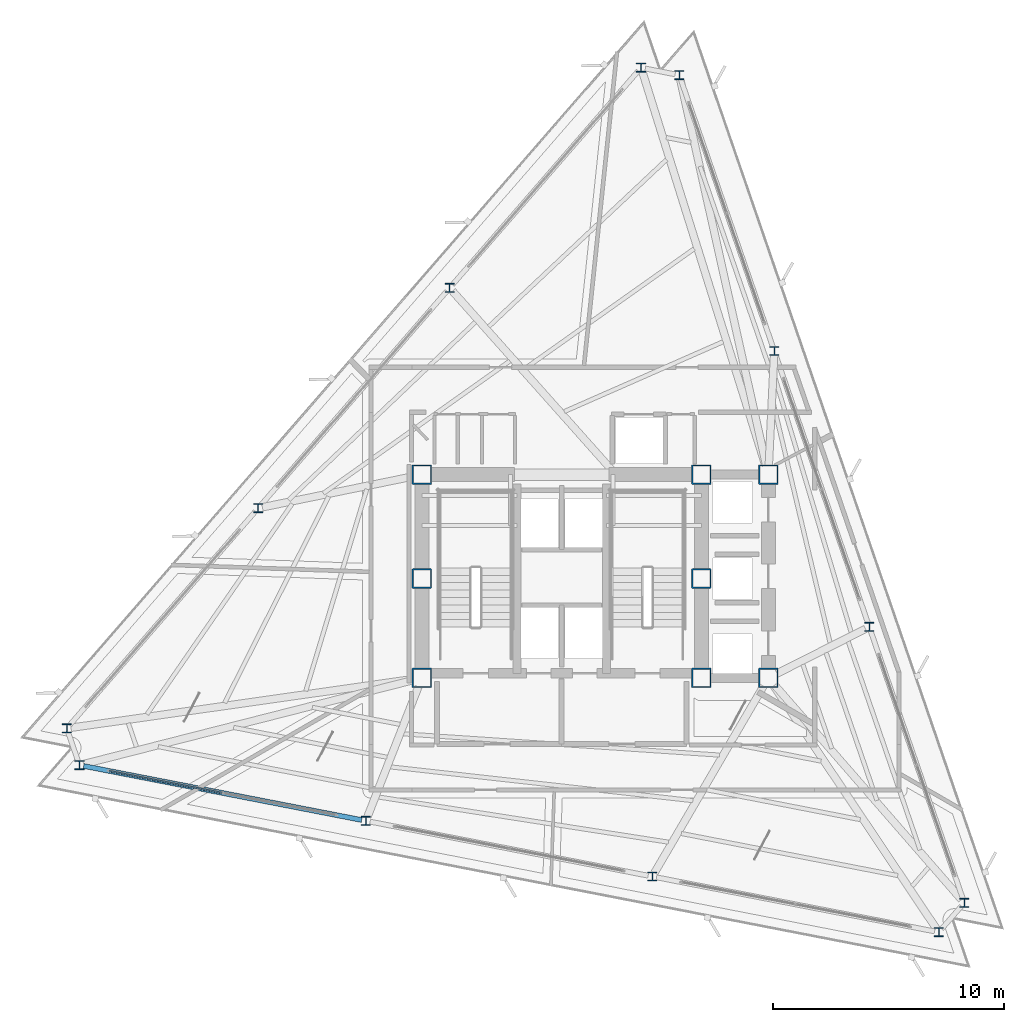
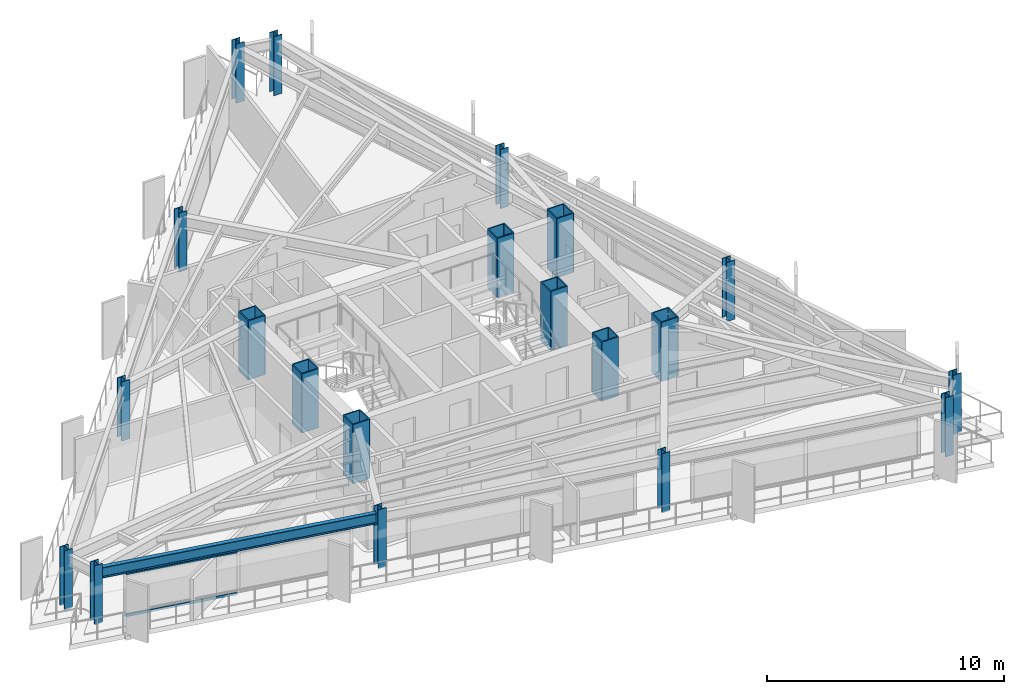
# One storey, part 1 of 13: 20 columns, 2 members, 1 beam, 1 element without a shape of its own.
"""IFC4 building model written with IfcOpenShell, lengths in metres."""

import ifcopenshell
import ifcopenshell.guid

model = None  # the IFC model being written
_history = None  # IfcOwnerHistory: only IFC2X3 demands one
_inside = {}  # id of a spatial element -> (the spatial element, [elements in it])
_under = {}  # id of a project, library or spatial element -> (it, [spatial elements below it])
_declared = {}  # id of a project -> (the project, [libraries it declares])
_typed = {}  # id of a type object -> (the type object, [elements of that type])
_made_of = {}  # id of a material, layer set ... -> (it, [elements and type objects made of it])


def new_model(schema):
    """Start an empty IFC model of exactly this schema.

    Asked for "IFC4X3", IfcOpenShell would pick the latest addendum, in which some entities
    have other attributes; the version numbers below select the first issue.
    IFC2X3 requires an IfcOwnerHistory on every rooted entity: one is made here for all.
    """
    global model, _history
    if schema == "IFC4X3":
        model = ifcopenshell.file(schema_version=(4, 3, 0, 0))
    else:
        model = ifcopenshell.file(schema=schema)
    _inside.clear()
    _under.clear()
    _declared.clear()
    _typed.clear()
    _made_of.clear()
    _history = None
    if model.schema == "IFC2X3":
        org = make("IfcOrganization", Name="unknown")
        user = make(
            "IfcPersonAndOrganization",
            ThePerson=make("IfcPerson", FamilyName="unknown"),
            TheOrganization=org,
        )
        app = make(
            "IfcApplication",
            ApplicationDeveloper=org,
            Version="unknown",
            ApplicationFullName="unknown",
            ApplicationIdentifier="unknown",
        )
        _history = make(
            "IfcOwnerHistory",
            OwningUser=user,
            OwningApplication=app,
            ChangeAction="ADDED",
            CreationDate=0,
        )
    return model


def make(cls, **values):
    """One entity of the class cls with the attributes given. An attribute that is None is left unset."""
    return model.create_entity(
        cls, **{name: value for name, value in values.items() if value is not None}
    )


def rooted(cls, **values):
    """An entity with a GlobalId (a new one), such as an element, a storey or a relation."""
    return make(cls, GlobalId=ifcopenshell.guid.new(), OwnerHistory=_history, **values)


def si_unit(unit_type, name, prefix=None):
    """IfcSIUnit, for example si_unit("LENGTHUNIT", "METRE", prefix="MILLI")."""
    return make("IfcSIUnit", UnitType=unit_type, Prefix=prefix, Name=name)


def assignment(units):
    """IfcUnitAssignment: the units of a project."""
    return None if units is None else make("IfcUnitAssignment", Units=units)


def point(xyz):
    """IfcCartesianPoint."""
    return None if xyz is None else make("IfcCartesianPoint", Coordinates=xyz)


def direction(xyz):
    """IfcDirection."""
    return None if xyz is None else make("IfcDirection", DirectionRatios=xyz)


def frame(location, z_axis=None, x_axis=None):
    """IfcAxis2Placement3D, a coordinate frame: its origin and axes. An axis left out is left unset."""
    return make(
        "IfcAxis2Placement3D",
        Location=point(location),
        Axis=direction(z_axis),
        RefDirection=direction(x_axis),
    )


def frame_2d(location, x_axis=None):
    """IfcAxis2Placement2D, a coordinate frame in the plane: its origin and x axis."""
    return make(
        "IfcAxis2Placement2D", Location=point(location), RefDirection=direction(x_axis)
    )


def origin():
    """The frame at (0, 0, 0) with its axes left unset."""
    return frame((0.0, 0.0, 0.0))


def origin_2d():
    """The frame at (0, 0) in the plane with its x axis left unset."""
    return frame_2d((0.0, 0.0))


def place(relative_to, where):
    """IfcLocalPlacement: puts the frame where relative to a parent placement (None: the world)."""
    return make(
        "IfcLocalPlacement", PlacementRelTo=relative_to, RelativePlacement=where
    )


def context(
    kind, dimensions, precision=None, world=None, true_north=None, identifier=None
):
    """IfcGeometricRepresentationContext, for example the 3D "Model" context."""
    return make(
        "IfcGeometricRepresentationContext",
        ContextIdentifier=identifier,
        ContextType=kind,
        CoordinateSpaceDimension=dimensions,
        Precision=precision,
        WorldCoordinateSystem=world,
        TrueNorth=true_north,
    )


def subcontext(parent, identifier, kind, view, scale=None):
    """IfcGeometricRepresentationSubContext, for example "Body" below "Model"."""
    return make(
        "IfcGeometricRepresentationSubContext",
        ContextIdentifier=identifier,
        ContextType=kind,
        ParentContext=parent,
        TargetScale=scale,
        TargetView=view,
    )


def project(units=None, contexts=None):
    """IfcProject with its units and contexts."""
    return rooted(
        "IfcProject",
        Name="project",
        RepresentationContexts=contexts,
        UnitsInContext=assignment(units),
    )


def spatial(cls, under=None, at=None, **own):
    """A site, building, storey or space (cls), placed at a placement, below another one or the project."""
    s = rooted(cls, ObjectPlacement=at, **own)
    if under is not None:
        _under.setdefault(under.id(), (under, []))[1].append(s)
    return s


def profile(cls, at=None, kind="AREA", **sizes):
    """A parametric profile (cls). Its sizes go by their IFC names, for example OverallWidth=200.0."""
    return make(cls, ProfileType=kind, Position=at, **sizes)


def rectangle(**sizes):
    """IfcRectangleProfileDef."""
    return profile("IfcRectangleProfileDef", **sizes)


def hollow_rectangle(**sizes):
    """IfcRectangleHollowProfileDef."""
    return profile("IfcRectangleHollowProfileDef", **sizes)


def i_section(**sizes):
    """IfcIShapeProfileDef."""
    return profile("IfcIShapeProfileDef", **sizes)


def extrude(swept, where, along, depth):
    """IfcExtrudedAreaSolid: the profile swept, set in the frame where, extruded along a direction by depth."""
    return make(
        "IfcExtrudedAreaSolid",
        SweptArea=swept,
        Position=where,
        ExtrudedDirection=direction(along),
        Depth=depth,
    )


def shape(context_of_items, identifier, shape_type, items):
    """IfcShapeRepresentation: the items that make up one representation, for example the "Body"."""
    return make(
        "IfcShapeRepresentation",
        ContextOfItems=context_of_items,
        RepresentationIdentifier=identifier,
        RepresentationType=shape_type,
        Items=items,
    )


def material(Name=None, Category=None):
    """IfcMaterial."""
    return make("IfcMaterial", Name=Name, Category=Category)


def layer(
    of_material, thickness, ventilated=None, Name=None, Category=None, Priority=None
):
    """IfcMaterialLayer: one layer of a wall or slab, of a material (None: an air gap)."""
    return make(
        "IfcMaterialLayer",
        Material=of_material,
        LayerThickness=thickness,
        IsVentilated=ventilated,
        Name=Name,
        Category=Category,
        Priority=Priority,
    )


def layer_set(layers, Name=None):
    """IfcMaterialLayerSet."""
    return make("IfcMaterialLayerSet", MaterialLayers=layers, LayerSetName=Name)


def material_profile(
    of_material, cross_section, Name=None, Category=None, Priority=None
):
    """IfcMaterialProfile: a cross section and its material."""
    return make(
        "IfcMaterialProfile",
        Name=Name,
        Material=of_material,
        Profile=cross_section,
        Priority=Priority,
        Category=Category,
    )


def profile_set(profiles, Name=None, composite=None):
    """IfcMaterialProfileSet."""
    return make(
        "IfcMaterialProfileSet",
        Name=Name,
        MaterialProfiles=profiles,
        CompositeProfile=composite,
    )


def made_of(thing, what):
    """Note that an element or type object is made of a material, layer set ...; save() writes the relation."""
    if what is not None:
        _made_of.setdefault(what.id(), (what, []))[1].append(thing)
    return thing


def type_object(cls, material=None, **own):
    """A type object (cls), such as IfcWallType, which elements share."""
    return made_of(rooted(cls, **own), material)


def element(
    cls,
    number,
    at=None,
    inside=None,
    cuts=None,
    type_object=None,
    material=None,
    context=None,
    identifier="Body",
    shape_type=None,
    held_by="IfcProductDefinitionShape",
    body=None,
    shapes=None,
    **own,
):
    """One element of the class cls, such as IfcWall. Its Tag is "e" and its number.

    at: its placement. inside: the storey or other place that contains it. cuts: it is an
    opening in that element (IfcRelVoidsElement). A single representation is given by context,
    identifier, shape_type and body (its items); several are given by shapes. held_by: the class
    of the entity that holds the representations. save() writes the other relations.
    """
    e = rooted(cls, Tag="e%d" % number, ObjectPlacement=at, **own)
    if body is not None:
        shapes = [shape(context, identifier, shape_type, body)]
    if shapes is not None:
        e.Representation = make(held_by, Representations=shapes)
    if inside is not None:
        _inside.setdefault(inside.id(), (inside, []))[1].append(e)
    if cuts is not None:
        rooted(
            "IfcRelVoidsElement", RelatingBuildingElement=cuts, RelatedOpeningElement=e
        )
    if type_object is not None:
        _typed.setdefault(type_object.id(), (type_object, []))[1].append(e)
    return made_of(e, material)


def aggregate(whole, parts):
    """IfcRelAggregates: a whole, such as a stair, and the parts it consists of."""
    return rooted("IfcRelAggregates", RelatingObject=whole, RelatedObjects=parts)


def save(model, path):
    """Write the relations noted so far, then the file.

    IfcRelAggregates (storeys below a building ...), IfcRelContainedInSpatialStructure (elements
    in a storey), IfcRelDefinesByType, IfcRelAssociatesMaterial and IfcRelDeclares: one each for
    every whole, place, type object, material and project.
    """
    for whole, parts in _under.values():
        aggregate(whole, parts)
    for where, things in _inside.values():
        rooted(
            "IfcRelContainedInSpatialStructure",
            RelatedElements=things,
            RelatingStructure=where,
        )
    for kind, things in _typed.values():
        rooted("IfcRelDefinesByType", RelatedObjects=things, RelatingType=kind)
    for what, things in _made_of.values():
        rooted("IfcRelAssociatesMaterial", RelatedObjects=things, RelatingMaterial=what)
    for by, libraries in _declared.values():
        rooted("IfcRelDeclares", RelatingContext=by, RelatedDefinitions=libraries)
    model.write(path)


model = new_model("IFC4")

# Units and contexts
model_context = context("Model", 3, precision=1e-05, world=origin(), true_north=direction((0.0, 1.0)))
body_context = subcontext(model_context, "Body", "Model", "MODEL_VIEW")
ifc_project = project(units=[si_unit("LENGTHUNIT", "METRE"), si_unit("AREAUNIT", "SQUARE_METRE"), si_unit("VOLUMEUNIT", "CUBIC_METRE"), si_unit("PLANEANGLEUNIT", "RADIAN"), si_unit("MASSUNIT", "GRAM", prefix="KILO")], contexts=[model_context])

# Site, building, storey
site_placement = place(None, origin())
site = spatial("IfcSite", under=ifc_project, at=site_placement, CompositionType="ELEMENT")
building_placement = place(site_placement, origin())
building = spatial("IfcBuilding", under=site, at=building_placement, Name="Rocaltana Carrier Exchange", CompositionType="ELEMENT")
storey_placement = place(building_placement, frame((0.0, 0.0, 165.43994140625)))
storey = spatial("IfcBuildingStorey", under=building, at=storey_placement, Name="L52", CompositionType="ELEMENT", Elevation=165.43994140625)

# Columns
ifc_material_1 = material(Name="Steel S460", Category="steel")
ifc_material_profile_1 = material_profile(ifc_material_1, hollow_rectangle(XDim=0.85009765625, YDim=0.85009765625, WallThickness=0.054931640625, InnerFilletRadius=0.02001953125, OuterFilletRadius=0.0400390625, at=origin_2d()), Name="BOX850X850X55")
ifc_profile_set_1 = profile_set([ifc_material_profile_1], Name="Steel S460")
column_type_1 = type_object("IfcColumnType", Name="Core Mega-Column BOX850", PredefinedType="COLUMN", material=ifc_profile_set_1)
for number, where, z_axis, x_axis, name in (
    (1, (-6.050048828125, 4.5, 0.0), (0.0, 0.0, 1.0), (1.0, 0.0, 0.0), "L52 Core Mega-Column MC1"),
    (2, (6.050048828125, 4.5, 0.0), (0.0, 0.0, 1.0), (1.0, 0.0, 0.0), "L52 Core Mega-Column MC2"),
    (3, (-6.050048828125, 0.0, 0.0), (0.0, 0.0, 1.0), (1.0, 0.0, 0.0), "L52 Core Mega-Column MC3"),
    (4, (6.050048828125, 0.0, 0.0), (0.0, 0.0, 1.0), (1.0, 0.0, 0.0), "L52 Core Mega-Column MC4"),
    (5, (-6.050048828125, -4.300048828125, 0.0), (0.0, 0.0, 1.0), (1.0, 0.0, 0.0), "L52 Core Mega-Column MC5"),
    (6, (6.050048828125, -4.300048828125, 0.0), (0.0, 0.0, 1.0), (1.0, 0.0, 0.0), "L52 Core Mega-Column MC6"),
    (7, (8.949951171875, 4.5, 0.0), (0.0, 0.0, 1.0), (1.0, 0.0, 0.0), "L52 East Core Column EC1"),
    (8, (8.949951171875, -4.300048828125, 0.0), (0.0, 0.0, 1.0), (1.0, 0.0, 0.0), "L52 East Core Column EC2"),
):
    element("IfcColumn", number, at=place(storey_placement, frame(where, z_axis=z_axis, x_axis=x_axis)), inside=storey, type_object=column_type_1, Name=name, PredefinedType="COLUMN", context=body_context, shape_type="SweptSolid", body=[
        extrude(hollow_rectangle(XDim=0.85009765625, YDim=0.85009765625, WallThickness=0.054931640625, InnerFilletRadius=0.02001953125, OuterFilletRadius=0.0400390625, at=origin_2d()), origin(), (0.0, 0.0, 1.0), 3.0400390625),
    ])
ifc_material_2 = material(Name="Steel S355", Category="steel")
ifc_material_profile_2 = material_profile(ifc_material_2, i_section(OverallWidth=0.39794921875, OverallDepth=0.386962890625, WebThickness=0.02099609375, FlangeThickness=0.033203125, FilletRadius=0.01806640625, at=origin_2d()), Name="W14X176")
ifc_profile_set_2 = profile_set([ifc_material_profile_2], Name="Steel S355")
column_type_2 = type_object("IfcColumnType", Name="Perimeter Column W14X176", PredefinedType="COLUMN", material=ifc_profile_set_2)
for number, where, z_axis, x_axis, name in (
    (9, (17.43408203125, -14.038818359375, 0.0), (0.0, 0.0, 1.0), (1.0, 0.0, 0.0), "L52 Perimeter Column TC01"),
    (10, (13.321044921875, -2.09375, 0.0), (0.0, 0.0, 1.0), (1.0, 0.0, 0.0), "L52 Perimeter Column TC02"),
    (11, (9.2080078125, 9.851318359375, 0.0), (0.0, 0.0, 1.0), (1.0, 0.0, 0.0), "L52 Perimeter Column TC03"),
    (12, (5.094970703125, 21.79638671875, 0.0), (0.0, 0.0, 1.0), (1.0, 0.0, 0.0), "L52 Perimeter Column TC04"),
    (13, (3.44091796875, 22.117919921875, 0.0), (0.0, 0.0, 1.0), (1.0, 0.0, 0.0), "L52 Perimeter Column TC05"),
    (14, (-4.84716796875, 12.583251953125, 0.0), (0.0, 0.0, 1.0), (1.0, 0.0, 0.0), "L52 Perimeter Column TC06"),
    (15, (-13.135498046875, 3.048828125, 0.0), (0.0, 0.0, 1.0), (1.0, 0.0, 0.0), "L52 Perimeter Column TC07"),
    (16, (-21.423583984375, -6.485595703125, 0.0), (0.0, 0.0, 1.0), (1.0, 0.0, 0.0), "L52 Perimeter Column TC08"),
    (17, (-20.875, -8.078857421875, 0.0), (0.0, 0.0, 1.0), (1.0, 0.0, 0.0), "L52 Perimeter Column TC09"),
    (18, (-8.473876953125, -10.489501953125, 0.0), (0.0, 0.0, 1.0), (1.0, 0.0, 0.0), "L52 Perimeter Column TC10"),
    (19, (3.927490234375, -12.89990234375, 0.0), (0.0, 0.0, 1.0), (1.0, 0.0, 0.0), "L52 Perimeter Column TC11"),
    (20, (16.32861328125, -15.310546875, 0.0), (0.0, 0.0, 1.0), (1.0, 0.0, 0.0), "L52 Perimeter Column TC12"),
):
    element("IfcColumn", number, at=place(storey_placement, frame(where, z_axis=z_axis, x_axis=x_axis)), inside=storey, type_object=column_type_2, Name=name, PredefinedType="COLUMN", context=body_context, shape_type="SweptSolid", body=[
        extrude(i_section(OverallWidth=0.39794921875, OverallDepth=0.386962890625, WebThickness=0.02099609375, FlangeThickness=0.033203125, FilletRadius=0.01806640625, at=origin_2d()), origin(), (0.0, 0.0, 1.0), 3.0400390625),
    ])

# Curtain wall, members
ifc_material_3 = material(Name="Aluminium 6063-T6", Category="aluminium")
ifc_layer = layer(ifc_material_3, 0.135009765625)
ifc_layer_set = layer_set([ifc_layer], Name="Aluminium 6063-T6")
curtain_wall_type = type_object("IfcCurtainWallType", Name="Upper-Mid Acoustic Curtain Wall CW-04", PredefinedType="NOTDEFINED", material=ifc_layer_set)
curtain_wall_placement = place(storey_placement, origin())
curtain_wall = element("IfcCurtainWall", 21, at=curtain_wall_placement, inside=storey, type_object=curtain_wall_type, Name="L52 CW-04 Run CW-L52-F3S1", PredefinedType="NOTDEFINED")
ifc_material_4 = material(Name="Aluminium 6063-T6", Category="aluminium")
ifc_material_profile_3 = material_profile(ifc_material_4, rectangle(XDim=0.06494140625, YDim=0.135009765625, at=origin_2d()), Name="AL-65X135")
ifc_profile_set_3 = profile_set([ifc_material_profile_3], Name="Aluminium 6063-T6")
member_type = type_object("IfcMemberType", Name="CW-04 Transom AL-65X135", PredefinedType="USERDEFINED", material=ifc_profile_set_3)
member_1_placement = place(storey_placement, frame((-19.584228515625, -8.329833984375, 0.032470703125), z_axis=(0.981633795462, -0.190774976365, 0.0), x_axis=(0.190774976365, 0.981633795462, 0.0)))
member_1 = element("IfcMember", 22, at=member_1_placement, type_object=member_type, Name="CW-04 transom 1.1", ObjectType="TRANSOM", PredefinedType="USERDEFINED", context=body_context, shape_type="SweptSolid", body=[
    extrude(rectangle(XDim=0.06494140625, YDim=0.135009765625, at=origin_2d()), origin(), (0.0, 0.0, 1.0), 4.96923828125),
])
member_2_placement = place(storey_placement, frame((-19.584228515625, -8.329833984375, 2.185546875), z_axis=(0.981633795462, -0.190774976365, 0.0), x_axis=(0.190774976365, 0.981633795462, 0.0)))
member_2 = element("IfcMember", 23, at=member_2_placement, type_object=member_type, Name="CW-04 transom 1.2", ObjectType="TRANSOM", PredefinedType="USERDEFINED", context=body_context, shape_type="SweptSolid", body=[
    extrude(rectangle(XDim=0.06494140625, YDim=0.135009765625, at=origin_2d()), origin(), (0.0, 0.0, 1.0), 4.96923828125),
])
aggregate(curtain_wall, [member_1, member_2])

# Beam
ifc_material_5 = material(Name="Steel S355", Category="steel")
ifc_material_profile_4 = material_profile(ifc_material_5, i_section(OverallWidth=0.2119140625, OverallDepth=0.5439453125, WebThickness=0.01318359375, FlangeThickness=0.021240234375, FilletRadius=0.014892578125, at=origin_2d()), Name="W21X83")
ifc_profile_set_4 = profile_set([ifc_material_profile_4], Name="Steel S355")
beam_type = type_object("IfcBeamType", Name="Spandrel Edge Beam W21X83", PredefinedType="SPANDREL", material=ifc_profile_set_4)
beam_placement = place(storey_placement, frame((-20.693115234375, -8.1142578125, 2.51611328125), z_axis=(0.981626164488, -0.190814237394, 0.0), x_axis=(0.190814237394, 0.981626164488, 0.0)))
element("IfcBeam", 24, at=beam_placement, inside=storey, type_object=beam_type, Name="SP-L52-09", PredefinedType="SPANDREL", context=body_context, shape_type="SweptSolid", body=[
    extrude(i_section(OverallWidth=0.2119140625, OverallDepth=0.5439453125, WebThickness=0.01318359375, FlangeThickness=0.021240234375, FilletRadius=0.014892578125, at=origin_2d()), origin(), (0.0, 0.0, 1.0), 12.262451171875),
])

save(model, "model.ifc")
